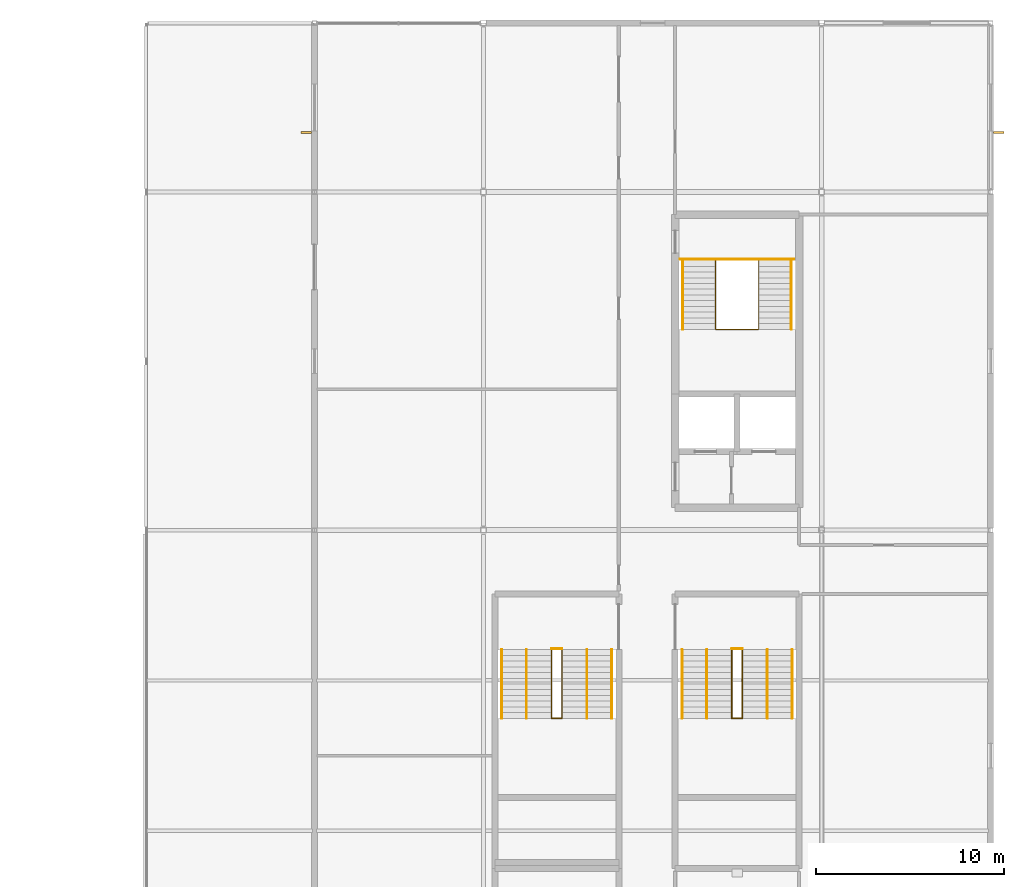
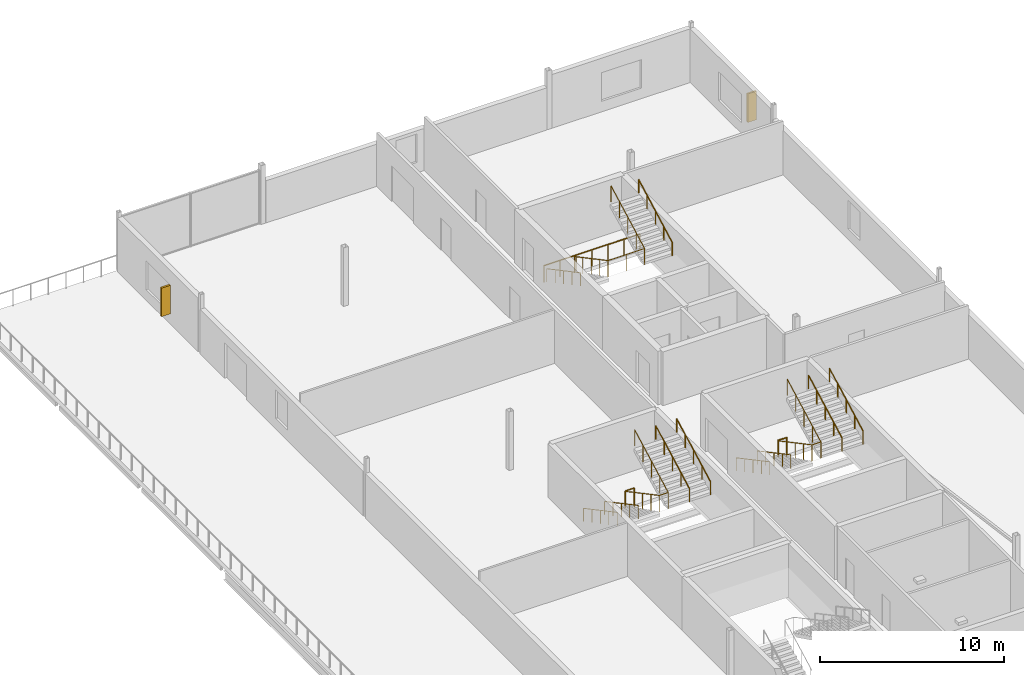
# One storey, part 54 of 55: 16 railings, 2 shading devices.
"""IFC4 building model written with IfcOpenShell, lengths in metres."""

from ifc_helpers import new_model, si_unit, direction, frame, origin, origin_2d, place, context, subcontext, project, spatial, rectangle, circle, extrude, material, type_object, element, save


model = new_model("IFC4")

# Units and contexts
model_context = context("Model", 3, precision=1e-05, world=origin(), true_north=direction((0.0, 1.0)))
body_context = subcontext(model_context, "Body", "Model", "MODEL_VIEW")
ifc_project = project(units=[si_unit("LENGTHUNIT", "METRE"), si_unit("AREAUNIT", "SQUARE_METRE"), si_unit("VOLUMEUNIT", "CUBIC_METRE"), si_unit("PLANEANGLEUNIT", "RADIAN"), si_unit("MASSUNIT", "GRAM", prefix="KILO")], contexts=[model_context])

# Site, building, storey
site_placement = place(None, origin())
site = spatial("IfcSite", under=ifc_project, at=site_placement, CompositionType="ELEMENT")
building_placement = place(site_placement, origin())
building = spatial("IfcBuilding", under=site, at=building_placement, Name="Kisiwana Market Hall", CompositionType="ELEMENT")
storey_placement = place(building_placement, frame((0.0, 0.0, 37.800048828125)))
storey = spatial("IfcBuildingStorey", under=building, at=storey_placement, Name="L08", CompositionType="ELEMENT", Elevation=37.800048828125)

# Railings
ifc_material_1 = material(Name="Steel S275", Category="steel")
railing_type_1 = type_object("IfcRailingType", Name="RL-GUARD-1100", PredefinedType="GUARDRAIL", material=ifc_material_1)
railing_1_placement = place(storey_placement, frame((183.35009765625, 98.3505859375, 0.0)))
element("IfcRailing", 1, at=railing_1_placement, inside=storey, type_object=railing_type_1, Name="Stair ST-E1-L08 inner-well guardrail (RL-1143)", PredefinedType="GUARDRAIL", context=body_context, shape_type="SweptSolid", body=[
    extrude(circle(Radius=0.02392578125, at=origin_2d()), frame((0.0, 0.0, 1.076171875), z_axis=(0.0, -0.882566327451, 0.470187917379), x_axis=(1.0, 0.0, 0.0)), (0.0, 0.0, 1.0), 4.147216796875),
    extrude(circle(Radius=0.02392578125, at=origin_2d()), frame((0.0, -3.66015625, 3.02587890625), z_axis=(1.0, 0.0, 0.0), x_axis=(0.0, 1.0, 0.0)), (0.0, 0.0, 1.0), 2.2998046875),
    extrude(circle(Radius=0.02392578125, at=origin_2d()), frame((2.2998046875, -3.66015625, 3.02587890625), z_axis=(0.0, 0.882566327451, 0.470187917379), x_axis=(-1.0, 0.0, 0.0)), (0.0, 0.0, 1.0), 4.147216796875),
    extrude(circle(Radius=0.02099609375, at=origin_2d()), origin(), (0.0, 0.0, 1.0), 1.052001953125),
    extrude(circle(Radius=0.02099609375, at=origin_2d()), frame((0.0, -0.9150390625, 0.487548828125)), (0.0, 0.0, 1.0), 1.052001953125),
    extrude(circle(Radius=0.02099609375, at=origin_2d()), frame((0.0, -1.830078125, 0.97509765625)), (0.0, 0.0, 1.0), 1.052001953125),
    extrude(circle(Radius=0.02099609375, at=origin_2d()), frame((0.0, -2.7451171875, 1.46240234375)), (0.0, 0.0, 1.0), 1.052001953125),
    extrude(circle(Radius=0.02099609375, at=origin_2d()), frame((0.0, -3.66015625, 1.949951171875)), (0.0, 0.0, 1.0), 1.052001953125),
    extrude(circle(Radius=0.02099609375, at=origin_2d()), frame((1.14990234375, -3.66015625, 1.949951171875)), (0.0, 0.0, 1.0), 1.052001953125),
    extrude(circle(Radius=0.02099609375, at=origin_2d()), frame((2.2998046875, -3.66015625, 1.949951171875)), (0.0, 0.0, 1.0), 1.052001953125),
    extrude(circle(Radius=0.02099609375, at=origin_2d()), frame((2.2998046875, -2.7451171875, 2.4375)), (0.0, 0.0, 1.0), 1.052001953125),
    extrude(circle(Radius=0.02099609375, at=origin_2d()), frame((2.2998046875, -1.830078125, 2.9248046875)), (0.0, 0.0, 1.0), 1.052001953125),
    extrude(circle(Radius=0.02099609375, at=origin_2d()), frame((2.2998046875, -0.9150390625, 3.412353515625)), (0.0, 0.0, 1.0), 1.052001953125),
    extrude(circle(Radius=0.02099609375, at=origin_2d()), frame((2.2998046875, 0.0, 3.89990234375)), (0.0, 0.0, 1.0), 1.052001953125),
])
railing_2_placement = place(storey_placement, frame((181.47998046875, 98.430419921875, 0.0)))
element("IfcRailing", 2, at=railing_2_placement, inside=storey, type_object=railing_type_1, Name="Stair ST-E1-L08 landing edge guardrail (RL-1146)", PredefinedType="GUARDRAIL", context=body_context, shape_type="SweptSolid", body=[
    extrude(circle(Radius=0.02392578125, at=origin_2d()), frame((0.0, 0.0, 1.076171875), z_axis=(1.0, 0.0, 0.0), x_axis=(0.0, 1.0, 0.0)), (0.0, 0.0, 1.0), 6.0400390625),
    extrude(circle(Radius=0.02099609375, at=origin_2d()), origin(), (0.0, 0.0, 1.0), 1.052001953125),
    extrude(circle(Radius=0.02099609375, at=origin_2d()), frame((1.006591796875, 0.0, 0.0)), (0.0, 0.0, 1.0), 1.052001953125),
    extrude(circle(Radius=0.02099609375, at=origin_2d()), frame((2.013427734375, 0.0, 0.0)), (0.0, 0.0, 1.0), 1.052001953125),
    extrude(circle(Radius=0.02099609375, at=origin_2d()), frame((3.02001953125, 0.0, 0.0)), (0.0, 0.0, 1.0), 1.052001953125),
    extrude(circle(Radius=0.02099609375, at=origin_2d()), frame((4.026611328125, 0.0, 0.0)), (0.0, 0.0, 1.0), 1.052001953125),
    extrude(circle(Radius=0.02099609375, at=origin_2d()), frame((5.033447265625, 0.0, 0.0)), (0.0, 0.0, 1.0), 1.052001953125),
    extrude(circle(Radius=0.02099609375, at=origin_2d()), frame((6.0400390625, 0.0, 0.0)), (0.0, 0.0, 1.0), 1.052001953125),
])
railing_3_placement = place(storey_placement, frame((184.219970703125, 77.639892578125, 0.0)))
element("IfcRailing", 3, at=railing_3_placement, inside=storey, type_object=railing_type_1, Name="Stair ST-E4-L08 inner-well guardrail (RL-1165)", PredefinedType="GUARDRAIL", context=body_context, shape_type="SweptSolid", body=[
    extrude(circle(Radius=0.02392578125, at=origin_2d()), frame((0.0, 0.0, 1.076171875), z_axis=(0.0, -0.88255331184, 0.47021234752), x_axis=(1.0, 0.0, 0.0)), (0.0, 0.0, 1.0), 4.14697265625),
    extrude(circle(Radius=0.02392578125, at=origin_2d()), frame((0.0, -3.659912109375, 3.02587890625), z_axis=(1.0, 0.0, 0.0), x_axis=(0.0, 1.0, 0.0)), (0.0, 0.0, 1.0), 0.56005859375),
    extrude(circle(Radius=0.02392578125, at=origin_2d()), frame((0.56005859375, -3.659912109375, 3.02587890625), z_axis=(0.0, 0.88255331184, 0.47021234752), x_axis=(-1.0, 0.0, 0.0)), (0.0, 0.0, 1.0), 4.14697265625),
    extrude(circle(Radius=0.02099609375, at=origin_2d()), origin(), (0.0, 0.0, 1.0), 1.052001953125),
    extrude(circle(Radius=0.02099609375, at=origin_2d()), frame((0.0, -0.9150390625, 0.487548828125)), (0.0, 0.0, 1.0), 1.052001953125),
    extrude(circle(Radius=0.02099609375, at=origin_2d()), frame((0.0, -1.830078125, 0.97509765625)), (0.0, 0.0, 1.0), 1.052001953125),
    extrude(circle(Radius=0.02099609375, at=origin_2d()), frame((0.0, -2.744873046875, 1.46240234375)), (0.0, 0.0, 1.0), 1.052001953125),
    extrude(circle(Radius=0.02099609375, at=origin_2d()), frame((0.0, -3.659912109375, 1.949951171875)), (0.0, 0.0, 1.0), 1.052001953125),
    extrude(circle(Radius=0.02099609375, at=origin_2d()), frame((0.56005859375, -3.659912109375, 1.949951171875)), (0.0, 0.0, 1.0), 1.052001953125),
    extrude(circle(Radius=0.02099609375, at=origin_2d()), frame((0.56005859375, -2.744873046875, 2.4375)), (0.0, 0.0, 1.0), 1.052001953125),
    extrude(circle(Radius=0.02099609375, at=origin_2d()), frame((0.56005859375, -1.830078125, 2.9248046875)), (0.0, 0.0, 1.0), 1.052001953125),
    extrude(circle(Radius=0.02099609375, at=origin_2d()), frame((0.56005859375, -0.9150390625, 3.412353515625)), (0.0, 0.0, 1.0), 1.052001953125),
    extrude(circle(Radius=0.02099609375, at=origin_2d()), frame((0.56005859375, 0.0, 3.89990234375)), (0.0, 0.0, 1.0), 1.052001953125),
])
railing_4_placement = place(storey_placement, frame((184.219970703125, 77.68994140625, 0.0)))
element("IfcRailing", 4, at=railing_4_placement, inside=storey, type_object=railing_type_1, Name="Stair ST-E4-L08 landing edge guardrail (RL-1170)", PredefinedType="GUARDRAIL", context=body_context, shape_type="SweptSolid", body=[
    extrude(circle(Radius=0.02392578125, at=origin_2d()), frame((0.0, 0.0, 1.076171875), z_axis=(1.0, 0.0, 0.0), x_axis=(0.0, 1.0, 0.0)), (0.0, 0.0, 1.0), 0.56005859375),
    extrude(circle(Radius=0.02099609375, at=origin_2d()), origin(), (0.0, 0.0, 1.0), 1.052001953125),
    extrude(circle(Radius=0.02099609375, at=origin_2d()), frame((0.56005859375, 0.0, 0.0)), (0.0, 0.0, 1.0), 1.052001953125),
])
railing_5_placement = place(storey_placement, frame((174.6201171875, 77.639892578125, 0.0)))
element("IfcRailing", 5, at=railing_5_placement, inside=storey, type_object=railing_type_1, Name="Stair ST-E8-L08 inner-well guardrail (RL-1189)", PredefinedType="GUARDRAIL", context=body_context, shape_type="SweptSolid", body=[
    extrude(circle(Radius=0.02392578125, at=origin_2d()), frame((0.0, 0.0, 1.076171875), z_axis=(0.0, -0.88255331184, 0.47021234752), x_axis=(1.0, 0.0, 0.0)), (0.0, 0.0, 1.0), 4.14697265625),
    extrude(circle(Radius=0.02392578125, at=origin_2d()), frame((0.0, -3.659912109375, 3.02587890625), z_axis=(1.0, 0.0, 0.0), x_axis=(0.0, 1.0, 0.0)), (0.0, 0.0, 1.0), 0.559814453125),
    extrude(circle(Radius=0.02392578125, at=origin_2d()), frame((0.559814453125, -3.659912109375, 3.02587890625), z_axis=(0.0, 0.88255331184, 0.47021234752), x_axis=(-1.0, 0.0, 0.0)), (0.0, 0.0, 1.0), 4.14697265625),
    extrude(circle(Radius=0.02099609375, at=origin_2d()), origin(), (0.0, 0.0, 1.0), 1.052001953125),
    extrude(circle(Radius=0.02099609375, at=origin_2d()), frame((0.0, -0.9150390625, 0.487548828125)), (0.0, 0.0, 1.0), 1.052001953125),
    extrude(circle(Radius=0.02099609375, at=origin_2d()), frame((0.0, -1.830078125, 0.97509765625)), (0.0, 0.0, 1.0), 1.052001953125),
    extrude(circle(Radius=0.02099609375, at=origin_2d()), frame((0.0, -2.744873046875, 1.46240234375)), (0.0, 0.0, 1.0), 1.052001953125),
    extrude(circle(Radius=0.02099609375, at=origin_2d()), frame((0.0, -3.659912109375, 1.949951171875)), (0.0, 0.0, 1.0), 1.052001953125),
    extrude(circle(Radius=0.02099609375, at=origin_2d()), frame((0.559814453125, -3.659912109375, 1.949951171875)), (0.0, 0.0, 1.0), 1.052001953125),
    extrude(circle(Radius=0.02099609375, at=origin_2d()), frame((0.559814453125, -2.744873046875, 2.4375)), (0.0, 0.0, 1.0), 1.052001953125),
    extrude(circle(Radius=0.02099609375, at=origin_2d()), frame((0.559814453125, -1.830078125, 2.9248046875)), (0.0, 0.0, 1.0), 1.052001953125),
    extrude(circle(Radius=0.02099609375, at=origin_2d()), frame((0.559814453125, -0.9150390625, 3.412353515625)), (0.0, 0.0, 1.0), 1.052001953125),
    extrude(circle(Radius=0.02099609375, at=origin_2d()), frame((0.559814453125, 0.0, 3.89990234375)), (0.0, 0.0, 1.0), 1.052001953125),
])
railing_6_placement = place(storey_placement, frame((174.6201171875, 77.68994140625, 0.0)))
element("IfcRailing", 6, at=railing_6_placement, inside=storey, type_object=railing_type_1, Name="Stair ST-E8-L08 landing edge guardrail (RL-1194)", PredefinedType="GUARDRAIL", context=body_context, shape_type="SweptSolid", body=[
    extrude(circle(Radius=0.02392578125, at=origin_2d()), frame((0.0, 0.0, 1.076171875), z_axis=(1.0, 0.0, 0.0), x_axis=(0.0, 1.0, 0.0)), (0.0, 0.0, 1.0), 0.559814453125),
    extrude(circle(Radius=0.02099609375, at=origin_2d()), origin(), (0.0, 0.0, 1.0), 1.052001953125),
    extrude(circle(Radius=0.02099609375, at=origin_2d()), frame((0.559814453125, 0.0, 0.0)), (0.0, 0.0, 1.0), 1.052001953125),
])
ifc_material_2 = material(Name="Steel S275", Category="steel")
railing_type_2 = type_object("IfcRailingType", Name="RL-HAND-900", PredefinedType="HANDRAIL", material=ifc_material_2)
railing_7_placement = place(storey_placement, frame((181.610107421875, 98.3505859375, 0.0)))
element("IfcRailing", 7, at=railing_7_placement, inside=storey, type_object=railing_type_2, Name="Stair ST-E1-L08 flight 1 handrail (RL-1144)", PredefinedType="HANDRAIL", context=body_context, shape_type="SweptSolid", body=[
    extrude(circle(Radius=0.02392578125, at=origin_2d()), frame((0.0, 0.0, 0.8759765625), z_axis=(0.0, -0.882566327451, 0.470187917379), x_axis=(1.0, 0.0, 0.0)), (0.0, 0.0, 1.0), 4.147216796875),
    extrude(circle(Radius=0.02099609375, at=origin_2d()), origin(), (0.0, 0.0, 1.0), 0.851806640625),
    extrude(circle(Radius=0.02099609375, at=origin_2d()), frame((0.0, -0.9150390625, 0.487548828125)), (0.0, 0.0, 1.0), 0.851806640625),
    extrude(circle(Radius=0.02099609375, at=origin_2d()), frame((0.0, -1.830078125, 0.97509765625)), (0.0, 0.0, 1.0), 0.851806640625),
    extrude(circle(Radius=0.02099609375, at=origin_2d()), frame((0.0, -2.7451171875, 1.46240234375)), (0.0, 0.0, 1.0), 0.851806640625),
    extrude(circle(Radius=0.02099609375, at=origin_2d()), frame((0.0, -3.66015625, 1.949951171875)), (0.0, 0.0, 1.0), 0.851806640625),
])
railing_8_placement = place(storey_placement, frame((187.389892578125, 94.6904296875, 1.949951171875)))
element("IfcRailing", 8, at=railing_8_placement, inside=storey, type_object=railing_type_2, Name="Stair ST-E1-L08 flight 2 handrail (RL-1145)", PredefinedType="HANDRAIL", context=body_context, shape_type="SweptSolid", body=[
    extrude(circle(Radius=0.02392578125, at=origin_2d()), frame((0.0, 0.0, 0.8759765625), z_axis=(0.0, 0.882566327451, 0.470187917379), x_axis=(-1.0, 0.0, 0.0)), (0.0, 0.0, 1.0), 4.147216796875),
    extrude(circle(Radius=0.02099609375, at=origin_2d()), origin(), (0.0, 0.0, 1.0), 0.851806640625),
    extrude(circle(Radius=0.02099609375, at=origin_2d()), frame((0.0, 0.9150390625, 0.487548828125)), (0.0, 0.0, 1.0), 0.851806640625),
    extrude(circle(Radius=0.02099609375, at=origin_2d()), frame((0.0, 1.830078125, 0.97509765625)), (0.0, 0.0, 1.0), 0.851806640625),
    extrude(circle(Radius=0.02099609375, at=origin_2d()), frame((0.0, 2.7451171875, 1.46240234375)), (0.0, 0.0, 1.0), 0.851806640625),
    extrude(circle(Radius=0.02099609375, at=origin_2d()), frame((0.0, 3.66015625, 1.949951171875)), (0.0, 0.0, 1.0), 0.851806640625),
])
railing_9_placement = place(storey_placement, frame((181.570068359375, 77.639892578125, 0.0)))
element("IfcRailing", 9, at=railing_9_placement, inside=storey, type_object=railing_type_2, Name="Stair ST-E4-L08 flight 1 handrail (RL-1166)", PredefinedType="HANDRAIL", context=body_context, shape_type="SweptSolid", body=[
    extrude(circle(Radius=0.02392578125, at=origin_2d()), frame((0.0, 0.0, 0.8759765625), z_axis=(0.0, -0.88255331184, 0.47021234752), x_axis=(1.0, 0.0, 0.0)), (0.0, 0.0, 1.0), 4.14697265625),
    extrude(circle(Radius=0.02099609375, at=origin_2d()), origin(), (0.0, 0.0, 1.0), 0.851806640625),
    extrude(circle(Radius=0.02099609375, at=origin_2d()), frame((0.0, -0.9150390625, 0.487548828125)), (0.0, 0.0, 1.0), 0.851806640625),
    extrude(circle(Radius=0.02099609375, at=origin_2d()), frame((0.0, -1.830078125, 0.97509765625)), (0.0, 0.0, 1.0), 0.851806640625),
    extrude(circle(Radius=0.02099609375, at=origin_2d()), frame((0.0, -2.744873046875, 1.46240234375)), (0.0, 0.0, 1.0), 0.851806640625),
    extrude(circle(Radius=0.02099609375, at=origin_2d()), frame((0.0, -3.659912109375, 1.949951171875)), (0.0, 0.0, 1.0), 0.851806640625),
])
railing_10_placement = place(storey_placement, frame((187.429931640625, 73.97998046875, 1.949951171875)))
element("IfcRailing", 10, at=railing_10_placement, inside=storey, type_object=railing_type_2, Name="Stair ST-E4-L08 flight 2 handrail (RL-1167)", PredefinedType="HANDRAIL", context=body_context, shape_type="SweptSolid", body=[
    extrude(circle(Radius=0.02392578125, at=origin_2d()), frame((0.0, 0.0, 0.8759765625), z_axis=(0.0, 0.88255331184, 0.47021234752), x_axis=(-1.0, 0.0, 0.0)), (0.0, 0.0, 1.0), 4.14697265625),
    extrude(circle(Radius=0.02099609375, at=origin_2d()), origin(), (0.0, 0.0, 1.0), 0.851806640625),
    extrude(circle(Radius=0.02099609375, at=origin_2d()), frame((0.0, 0.9150390625, 0.487548828125)), (0.0, 0.0, 1.0), 0.851806640625),
    extrude(circle(Radius=0.02099609375, at=origin_2d()), frame((0.0, 1.830078125, 0.97509765625)), (0.0, 0.0, 1.0), 0.851806640625),
    extrude(circle(Radius=0.02099609375, at=origin_2d()), frame((0.0, 2.744873046875, 1.46240234375)), (0.0, 0.0, 1.0), 0.851806640625),
    extrude(circle(Radius=0.02099609375, at=origin_2d()), frame((0.0, 3.659912109375, 1.949951171875)), (0.0, 0.0, 1.0), 0.851806640625),
])
railing_11_placement = place(storey_placement, frame((182.889892578125, 77.639892578125, 0.0)))
element("IfcRailing", 11, at=railing_11_placement, inside=storey, type_object=railing_type_2, Name="Stair ST-E4-L08 flight 1 intermediate handrail (RL-1168)", PredefinedType="HANDRAIL", context=body_context, shape_type="SweptSolid", body=[
    extrude(circle(Radius=0.02392578125, at=origin_2d()), frame((0.0, 0.0, 0.8759765625), z_axis=(0.0, -0.88255331184, 0.47021234752), x_axis=(1.0, 0.0, 0.0)), (0.0, 0.0, 1.0), 4.14697265625),
    extrude(circle(Radius=0.02099609375, at=origin_2d()), origin(), (0.0, 0.0, 1.0), 0.851806640625),
    extrude(circle(Radius=0.02099609375, at=origin_2d()), frame((0.0, -0.9150390625, 0.487548828125)), (0.0, 0.0, 1.0), 0.851806640625),
    extrude(circle(Radius=0.02099609375, at=origin_2d()), frame((0.0, -1.830078125, 0.97509765625)), (0.0, 0.0, 1.0), 0.851806640625),
    extrude(circle(Radius=0.02099609375, at=origin_2d()), frame((0.0, -2.744873046875, 1.46240234375)), (0.0, 0.0, 1.0), 0.851806640625),
    extrude(circle(Radius=0.02099609375, at=origin_2d()), frame((0.0, -3.659912109375, 1.949951171875)), (0.0, 0.0, 1.0), 0.851806640625),
])
railing_12_placement = place(storey_placement, frame((186.110107421875, 73.97998046875, 1.949951171875)))
element("IfcRailing", 12, at=railing_12_placement, inside=storey, type_object=railing_type_2, Name="Stair ST-E4-L08 flight 2 intermediate handrail (RL-1169)", PredefinedType="HANDRAIL", context=body_context, shape_type="SweptSolid", body=[
    extrude(circle(Radius=0.02392578125, at=origin_2d()), frame((0.0, 0.0, 0.8759765625), z_axis=(0.0, 0.88255331184, 0.47021234752), x_axis=(-1.0, 0.0, 0.0)), (0.0, 0.0, 1.0), 4.14697265625),
    extrude(circle(Radius=0.02099609375, at=origin_2d()), origin(), (0.0, 0.0, 1.0), 0.851806640625),
    extrude(circle(Radius=0.02099609375, at=origin_2d()), frame((0.0, 0.9150390625, 0.487548828125)), (0.0, 0.0, 1.0), 0.851806640625),
    extrude(circle(Radius=0.02099609375, at=origin_2d()), frame((0.0, 1.830078125, 0.97509765625)), (0.0, 0.0, 1.0), 0.851806640625),
    extrude(circle(Radius=0.02099609375, at=origin_2d()), frame((0.0, 2.744873046875, 1.46240234375)), (0.0, 0.0, 1.0), 0.851806640625),
    extrude(circle(Radius=0.02099609375, at=origin_2d()), frame((0.0, 3.659912109375, 1.949951171875)), (0.0, 0.0, 1.0), 0.851806640625),
])
railing_13_placement = place(storey_placement, frame((171.969970703125, 77.639892578125, 0.0)))
element("IfcRailing", 13, at=railing_13_placement, inside=storey, type_object=railing_type_2, Name="Stair ST-E8-L08 flight 1 handrail (RL-1190)", PredefinedType="HANDRAIL", context=body_context, shape_type="SweptSolid", body=[
    extrude(circle(Radius=0.02392578125, at=origin_2d()), frame((0.0, 0.0, 0.8759765625), z_axis=(0.0, -0.88255331184, 0.47021234752), x_axis=(1.0, 0.0, 0.0)), (0.0, 0.0, 1.0), 4.14697265625),
    extrude(circle(Radius=0.02099609375, at=origin_2d()), origin(), (0.0, 0.0, 1.0), 0.851806640625),
    extrude(circle(Radius=0.02099609375, at=origin_2d()), frame((0.0, -0.9150390625, 0.487548828125)), (0.0, 0.0, 1.0), 0.851806640625),
    extrude(circle(Radius=0.02099609375, at=origin_2d()), frame((0.0, -1.830078125, 0.97509765625)), (0.0, 0.0, 1.0), 0.851806640625),
    extrude(circle(Radius=0.02099609375, at=origin_2d()), frame((0.0, -2.744873046875, 1.46240234375)), (0.0, 0.0, 1.0), 0.851806640625),
    extrude(circle(Radius=0.02099609375, at=origin_2d()), frame((0.0, -3.659912109375, 1.949951171875)), (0.0, 0.0, 1.0), 0.851806640625),
])
railing_14_placement = place(storey_placement, frame((177.830078125, 73.97998046875, 1.949951171875)))
element("IfcRailing", 14, at=railing_14_placement, inside=storey, type_object=railing_type_2, Name="Stair ST-E8-L08 flight 2 handrail (RL-1191)", PredefinedType="HANDRAIL", context=body_context, shape_type="SweptSolid", body=[
    extrude(circle(Radius=0.02392578125, at=origin_2d()), frame((0.0, 0.0, 0.8759765625), z_axis=(0.0, 0.88255331184, 0.47021234752), x_axis=(-1.0, 0.0, 0.0)), (0.0, 0.0, 1.0), 4.14697265625),
    extrude(circle(Radius=0.02099609375, at=origin_2d()), origin(), (0.0, 0.0, 1.0), 0.851806640625),
    extrude(circle(Radius=0.02099609375, at=origin_2d()), frame((0.0, 0.9150390625, 0.487548828125)), (0.0, 0.0, 1.0), 0.851806640625),
    extrude(circle(Radius=0.02099609375, at=origin_2d()), frame((0.0, 1.830078125, 0.97509765625)), (0.0, 0.0, 1.0), 0.851806640625),
    extrude(circle(Radius=0.02099609375, at=origin_2d()), frame((0.0, 2.744873046875, 1.46240234375)), (0.0, 0.0, 1.0), 0.851806640625),
    extrude(circle(Radius=0.02099609375, at=origin_2d()), frame((0.0, 3.659912109375, 1.949951171875)), (0.0, 0.0, 1.0), 0.851806640625),
])
railing_15_placement = place(storey_placement, frame((173.2900390625, 77.639892578125, 0.0)))
element("IfcRailing", 15, at=railing_15_placement, inside=storey, type_object=railing_type_2, Name="Stair ST-E8-L08 flight 1 intermediate handrail (RL-1192)", PredefinedType="HANDRAIL", context=body_context, shape_type="SweptSolid", body=[
    extrude(circle(Radius=0.02392578125, at=origin_2d()), frame((0.0, 0.0, 0.8759765625), z_axis=(0.0, -0.88255331184, 0.47021234752), x_axis=(1.0, 0.0, 0.0)), (0.0, 0.0, 1.0), 4.14697265625),
    extrude(circle(Radius=0.02099609375, at=origin_2d()), origin(), (0.0, 0.0, 1.0), 0.851806640625),
    extrude(circle(Radius=0.02099609375, at=origin_2d()), frame((0.0, -0.9150390625, 0.487548828125)), (0.0, 0.0, 1.0), 0.851806640625),
    extrude(circle(Radius=0.02099609375, at=origin_2d()), frame((0.0, -1.830078125, 0.97509765625)), (0.0, 0.0, 1.0), 0.851806640625),
    extrude(circle(Radius=0.02099609375, at=origin_2d()), frame((0.0, -2.744873046875, 1.46240234375)), (0.0, 0.0, 1.0), 0.851806640625),
    extrude(circle(Radius=0.02099609375, at=origin_2d()), frame((0.0, -3.659912109375, 1.949951171875)), (0.0, 0.0, 1.0), 0.851806640625),
])
railing_16_placement = place(storey_placement, frame((176.510009765625, 73.97998046875, 1.949951171875)))
element("IfcRailing", 16, at=railing_16_placement, inside=storey, type_object=railing_type_2, Name="Stair ST-E8-L08 flight 2 intermediate handrail (RL-1193)", PredefinedType="HANDRAIL", context=body_context, shape_type="SweptSolid", body=[
    extrude(circle(Radius=0.02392578125, at=origin_2d()), frame((0.0, 0.0, 0.8759765625), z_axis=(0.0, 0.88255331184, 0.47021234752), x_axis=(-1.0, 0.0, 0.0)), (0.0, 0.0, 1.0), 4.14697265625),
    extrude(circle(Radius=0.02099609375, at=origin_2d()), origin(), (0.0, 0.0, 1.0), 0.851806640625),
    extrude(circle(Radius=0.02099609375, at=origin_2d()), frame((0.0, 0.9150390625, 0.487548828125)), (0.0, 0.0, 1.0), 0.851806640625),
    extrude(circle(Radius=0.02099609375, at=origin_2d()), frame((0.0, 1.830078125, 0.97509765625)), (0.0, 0.0, 1.0), 0.851806640625),
    extrude(circle(Radius=0.02099609375, at=origin_2d()), frame((0.0, 2.744873046875, 1.46240234375)), (0.0, 0.0, 1.0), 0.851806640625),
    extrude(circle(Radius=0.02099609375, at=origin_2d()), frame((0.0, 3.659912109375, 1.949951171875)), (0.0, 0.0, 1.0), 0.851806640625),
])

# Shading devices
ifc_material_3 = material(Name="Aluminium alloy 6063-T6", Category="aluminium")
shading_device_type = type_object("IfcShadingDeviceType", Name="SHD-SHUTTER-V", PredefinedType="SHUTTER", material=ifc_material_3)
for number, where, z_axis, x_axis, name in (
    (17, (161.5673828125, 105.169921875, 0.699951171875), (0.0, 0.0, 1.0), (0.0, 1.0, 0.0), "Vertical solar fin SHD-186 SD-185"),
    (18, (198.4326171875, 105.169921875, 0.699951171875), (0.0, 0.0, 1.0), (0.0, 1.0, 0.0), "Vertical solar fin SHD-188 SD-187"),
):
    element("IfcShadingDevice", number, at=place(storey_placement, frame(where, z_axis=z_axis, x_axis=x_axis)), inside=storey, type_object=shading_device_type, Name=name, PredefinedType="SHUTTER", context=body_context, shape_type="SweptSolid", body=[
        extrude(rectangle(XDim=0.1201171875, YDim=0.550048828125, at=origin_2d()), origin(), (0.0, 0.0, 1.0), 1.89990234375),
    ])

save(model, "model.ifc")
